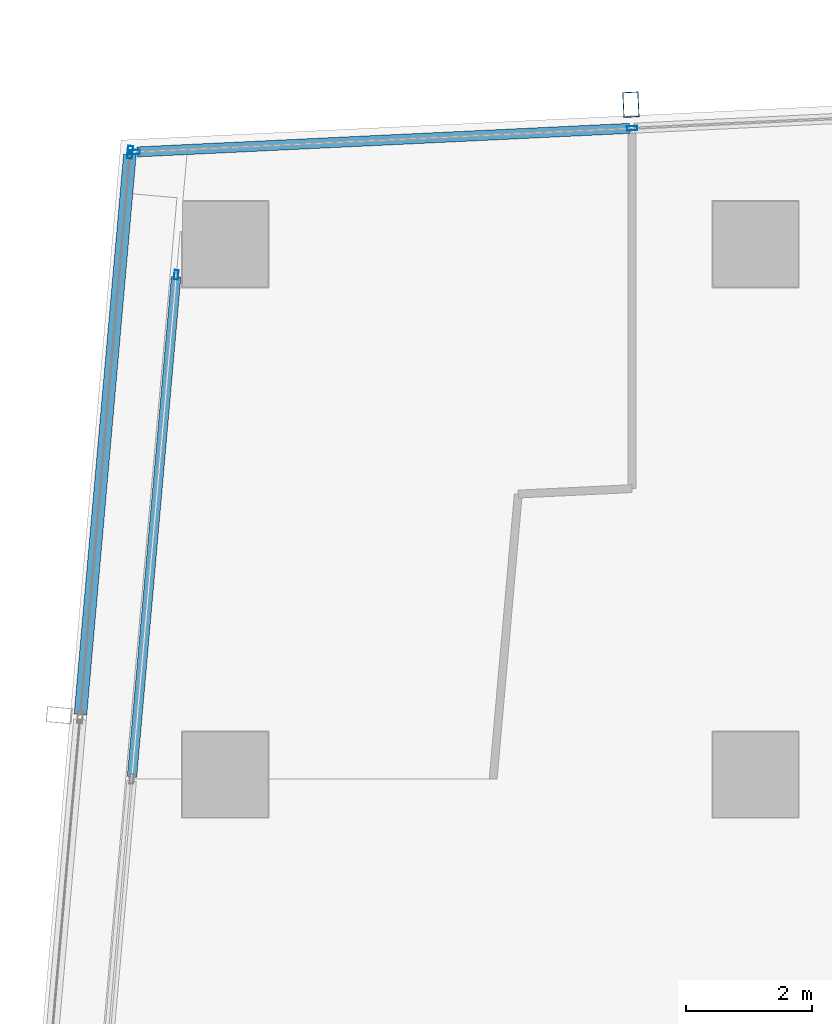
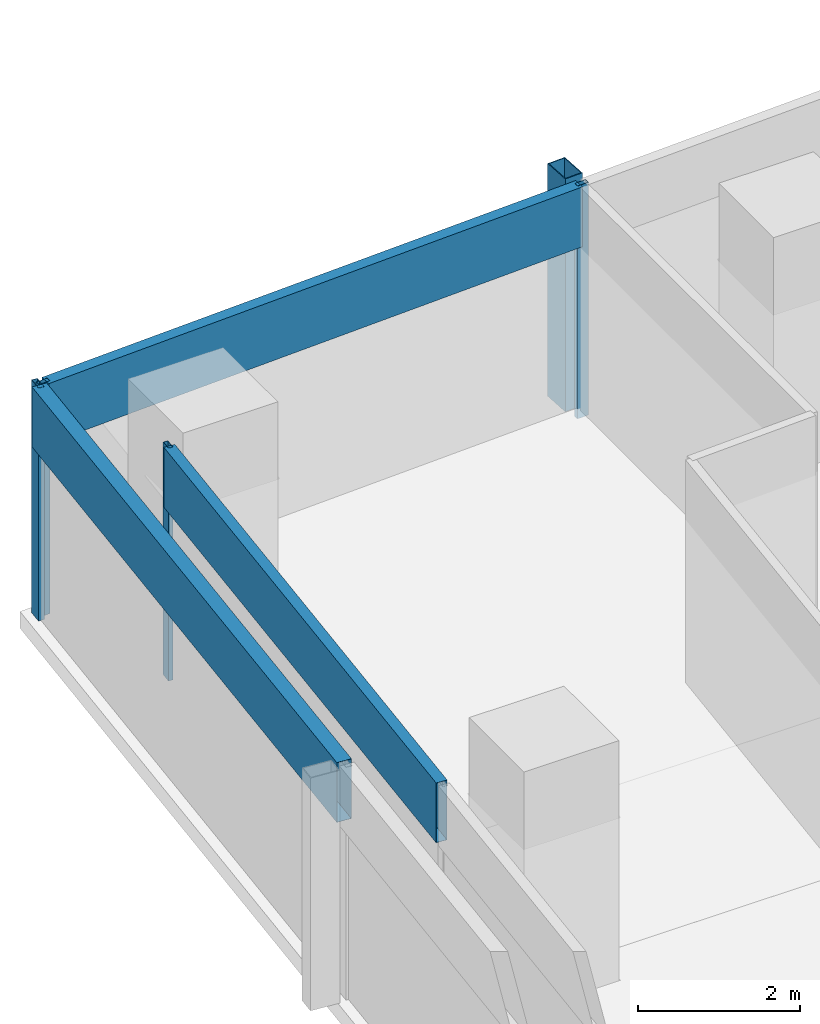
# One storey, part 17 of 40: 8 members, 3 elements without a shape of their own.
"""IFC4 building model written with IfcOpenShell, lengths in metres."""

from ifc_helpers import new_model, si_unit, direction, frame, origin, origin_2d, place, context, subcontext, project, spatial, hollow_rectangle, extrude, material, material_profile, profile_set, type_object, element, aggregate, save


model = new_model("IFC4")

# Units and contexts
model_context = context("Model", 3, precision=1e-05, world=origin(), true_north=direction((0.0, 1.0)))
body_context = subcontext(model_context, "Body", "Model", "MODEL_VIEW")
ifc_project = project(units=[si_unit("LENGTHUNIT", "METRE"), si_unit("AREAUNIT", "SQUARE_METRE"), si_unit("VOLUMEUNIT", "CUBIC_METRE"), si_unit("PLANEANGLEUNIT", "RADIAN"), si_unit("MASSUNIT", "GRAM", prefix="KILO")], contexts=[model_context])

# Site, building, storey
site_placement = place(None, origin())
site = spatial("IfcSite", under=ifc_project, at=site_placement, CompositionType="ELEMENT")
building_placement = place(site_placement, origin())
building = spatial("IfcBuilding", under=site, at=building_placement, Name="Rekha Terrace Tower", CompositionType="ELEMENT")
storey_placement = place(building_placement, frame((0.0, 0.0, 210.199951171875)))
storey = spatial("IfcBuildingStorey", under=building, at=storey_placement, Name="L53", CompositionType="ELEMENT", Elevation=210.199951171875)

# Curtain wall, member
ifc_material_1 = material(Name="Aluminium framing", Category="aluminium")
curtain_wall_type_1 = type_object("IfcCurtainWallType", Name="CW3 north unitised glazing", PredefinedType="USERDEFINED", material=ifc_material_1)
curtain_wall_1_placement = place(storey_placement, origin())
curtain_wall_1 = element("IfcCurtainWall", 1, at=curtain_wall_1_placement, inside=storey, type_object=curtain_wall_type_1, Name="CW3 unitised curtain wall", ObjectType="UNITISED CURTAIN WALL", PredefinedType="USERDEFINED")
ifc_material_2 = material(Name="Steel S355 with fluorocarbon finish", Category="steel")
ifc_material_profile_1 = material_profile(ifc_material_2, hollow_rectangle(XDim=0.25, YDim=0.39990234375, WallThickness=0.012451171875, at=origin_2d()), Name="RHS400x250x12.5")
ifc_profile_set_1 = profile_set([ifc_material_profile_1], Name="Steel S355 with fluorocarbon finish")
member_type_1 = type_object("IfcMemberType", Name="BL1 facade blade RHS 400 x 250", PredefinedType="USERDEFINED", material=ifc_profile_set_1)
member_1_placement = place(storey_placement, frame((14.824951171875, 61.01123046875, 0.0), z_axis=(0.0, 0.0, 1.0), x_axis=(-0.998858913274, -0.04775846913, 0.0)))
member_1 = element("IfcMember", 2, at=member_1_placement, type_object=member_type_1, Name="Facade blade", ObjectType="FACADE BLADE", PredefinedType="USERDEFINED", context=body_context, shape_type="SweptSolid", body=[
    extrude(hollow_rectangle(XDim=0.25, YDim=0.39990234375, WallThickness=0.012451171875, at=origin_2d()), origin(), (0.0, 0.0, 1.0), 3.5),
])

# Curtain wall, members
curtain_wall_type_2 = type_object("IfcCurtainWallType", Name="CW1 double skin inner glazing", PredefinedType="USERDEFINED", material=ifc_material_1)
curtain_wall_2_placement = place(storey_placement, origin())
curtain_wall_2 = element("IfcCurtainWall", 3, at=curtain_wall_2_placement, inside=storey, type_object=curtain_wall_type_2, Name="CW1 double skin inner glazing", ObjectType="DOUBLE SKIN INNER GLAZING", PredefinedType="USERDEFINED")
ifc_material_3 = material(Name="Aluminium mullion section", Category="aluminium")
ifc_material_profile_2 = material_profile(ifc_material_3, hollow_rectangle(XDim=0.06494140625, YDim=0.14990234375, WallThickness=0.00390625, at=origin_2d()), Name="AL RHS 65x150")
ifc_profile_set_2 = profile_set([ifc_material_profile_2], Name="Aluminium mullion section")
member_type_2 = type_object("IfcMemberType", Name="CW1 mullion RHS 65 x 150", PredefinedType="MULLION", material=ifc_profile_set_2)
member_2_placement = place(storey_placement, frame((7.625732421875, 58.316650390625, 0.0), z_axis=(0.0, 0.0, 1.0), x_axis=(0.996124185422, -0.087957985523, 0.0)))
member_2 = element("IfcMember", 4, at=member_2_placement, type_object=member_type_2, Name="CW1 mullion 1", PredefinedType="MULLION", context=body_context, shape_type="SweptSolid", body=[
    extrude(hollow_rectangle(XDim=0.06494140625, YDim=0.14990234375, WallThickness=0.00390625, at=origin_2d()), origin(), (0.0, 0.0, 1.0), 3.5),
])
ifc_material_4 = material(Name="Insulated aluminium spandrel box", Category="aluminium")
ifc_material_profile_3 = material_profile(ifc_material_4, hollow_rectangle(XDim=0.14990234375, YDim=0.89990234375, WallThickness=0.0029296875, at=origin_2d()), Name="AL SPANDREL BOX 150x900")
ifc_profile_set_3 = profile_set([ifc_material_profile_3], Name="Insulated aluminium spandrel box")
member_type_3 = type_object("IfcMemberType", Name="CW1 spandrel transom 150 x 900", PredefinedType="USERDEFINED", material=ifc_profile_set_3)
member_3_placement = place(storey_placement, frame((7.622802734375, 58.2841796875, 3.050048828125), z_axis=(-0.087941305291, -0.996125658149, 0.0), x_axis=(0.996125658149, -0.087941305291, 0.0)))
member_3 = element("IfcMember", 5, at=member_3_placement, type_object=member_type_3, Name="CW1 spandrel transom 1", ObjectType="TRANSOM", PredefinedType="USERDEFINED", context=body_context, shape_type="SweptSolid", body=[
    extrude(hollow_rectangle(XDim=0.14990234375, YDim=0.89990234375, WallThickness=0.0029296875, at=origin_2d()), origin(), (0.0, 0.0, 1.0), 7.950927734375),
])
aggregate(curtain_wall_2, [member_2, member_3])

curtain_wall_type_3 = type_object("IfcCurtainWallType", Name="CW2 double skin outer glazing", PredefinedType="USERDEFINED", material=ifc_material_1)
curtain_wall_3_placement = place(storey_placement, origin())
curtain_wall_3 = element("IfcCurtainWall", 6, at=curtain_wall_3_placement, inside=storey, type_object=curtain_wall_type_3, Name="CW2 double skin outer glazing", ObjectType="DOUBLE SKIN OUTER GLAZING", PredefinedType="USERDEFINED")
ifc_material_profile_4 = material_profile(ifc_material_3, hollow_rectangle(XDim=0.080078125, YDim=0.199951171875, WallThickness=0.00390625, at=origin_2d()), Name="AL RHS 80x200")
ifc_profile_set_4 = profile_set([ifc_material_profile_4], Name="Aluminium mullion section")
member_type_4 = type_object("IfcMemberType", Name="CW2 mullion RHS 80 x 200", PredefinedType="MULLION", material=ifc_profile_set_4)
member_4_placement = place(storey_placement, frame((6.8935546875, 60.257080078125, 0.0), z_axis=(0.0, 0.0, 1.0), x_axis=(0.996124185428, -0.087957985453, 0.0)))
member_4 = element("IfcMember", 7, at=member_4_placement, type_object=member_type_4, Name="CW2 mullion 1", PredefinedType="MULLION", context=body_context, shape_type="SweptSolid", body=[
    extrude(hollow_rectangle(XDim=0.080078125, YDim=0.199951171875, WallThickness=0.00390625, at=origin_2d()), origin(), (0.0, 0.0, 1.0), 3.5),
])
ifc_material_profile_5 = material_profile(ifc_material_4, hollow_rectangle(XDim=0.199951171875, YDim=0.89990234375, WallThickness=0.0029296875, at=origin_2d()), Name="AL SPANDREL BOX 200x900")
ifc_profile_set_5 = profile_set([ifc_material_profile_5], Name="Insulated aluminium spandrel box")
member_type_5 = type_object("IfcMemberType", Name="CW2 spandrel transom 200 x 900", PredefinedType="USERDEFINED", material=ifc_profile_set_5)
member_5_placement = place(storey_placement, frame((6.89013671875, 60.217041015625, 3.050048828125), z_axis=(-0.08797787529, -0.996122428951, 0.0), x_axis=(0.996122428951, -0.08797787529, 0.0)))
member_5 = element("IfcMember", 8, at=member_5_placement, type_object=member_type_5, Name="CW2 spandrel transom 1", ObjectType="TRANSOM", PredefinedType="USERDEFINED", context=body_context, shape_type="SweptSolid", body=[
    extrude(hollow_rectangle(XDim=0.199951171875, YDim=0.89990234375, WallThickness=0.0029296875, at=origin_2d()), origin(), (0.0, 0.0, 1.0), 8.8994140625),
])
aggregate(curtain_wall_3, [member_4, member_5])

# Member
ifc_material_profile_6 = material_profile(ifc_material_3, hollow_rectangle(XDim=0.070068359375, YDim=0.159912109375, WallThickness=0.00390625, at=origin_2d()), Name="AL RHS 70x160")
ifc_profile_set_6 = profile_set([ifc_material_profile_6], Name="Aluminium mullion section")
member_type_6 = type_object("IfcMemberType", Name="CW3 mullion RHS 70 x 160", PredefinedType="MULLION", material=ifc_profile_set_6)
member_6_placement = place(storey_placement, frame((14.843017578125, 60.63671875, 0.0), z_axis=(0.0, 0.0, 1.0), x_axis=(0.047758616983, -0.998858906204, 0.0)))
member_6 = element("IfcMember", 9, at=member_6_placement, type_object=member_type_6, Name="CW3 mullion 5", PredefinedType="MULLION", context=body_context, shape_type="SweptSolid", body=[
    extrude(hollow_rectangle(XDim=0.070068359375, YDim=0.159912109375, WallThickness=0.00390625, at=origin_2d()), origin(), (0.0, 0.0, 1.0), 3.5),
])

member_7_placement = place(storey_placement, frame((6.96875, 60.26025390625, 0.0), z_axis=(0.0, 0.0, 1.0), x_axis=(0.047758616983, -0.998858906204, 0.0)))
member_7 = element("IfcMember", 10, at=member_7_placement, type_object=member_type_6, Name="CW3 mullion 6", PredefinedType="MULLION", context=body_context, shape_type="SweptSolid", body=[
    extrude(hollow_rectangle(XDim=0.070068359375, YDim=0.159912109375, WallThickness=0.00390625, at=origin_2d()), origin(), (0.0, 0.0, 1.0), 3.5),
])

ifc_material_profile_7 = material_profile(ifc_material_4, hollow_rectangle(XDim=0.159912109375, YDim=0.89990234375, WallThickness=0.0029296875, at=origin_2d()), Name="AL SPANDREL BOX 160x900")
ifc_profile_set_7 = profile_set([ifc_material_profile_7], Name="Insulated aluminium spandrel box")
member_type_7 = type_object("IfcMemberType", Name="CW3 spandrel transom 160 x 900", PredefinedType="USERDEFINED", material=ifc_profile_set_7)
member_8_placement = place(storey_placement, frame((14.807861328125, 60.635009765625, 3.050048828125), z_axis=(-0.998859425172, -0.047747761666, 0.0), x_axis=(0.047747761666, -0.998859425172, 0.0)))
member_8 = element("IfcMember", 11, at=member_8_placement, type_object=member_type_7, Name="CW3 spandrel transom 5", ObjectType="TRANSOM", PredefinedType="USERDEFINED", context=body_context, shape_type="SweptSolid", body=[
    extrude(hollow_rectangle(XDim=0.159912109375, YDim=0.89990234375, WallThickness=0.0029296875, at=origin_2d()), origin(), (0.0, 0.0, 1.0), 7.81298828125),
])

aggregate(curtain_wall_1, [member_6, member_7, member_8, member_1])

save(model, "model.ifc")
